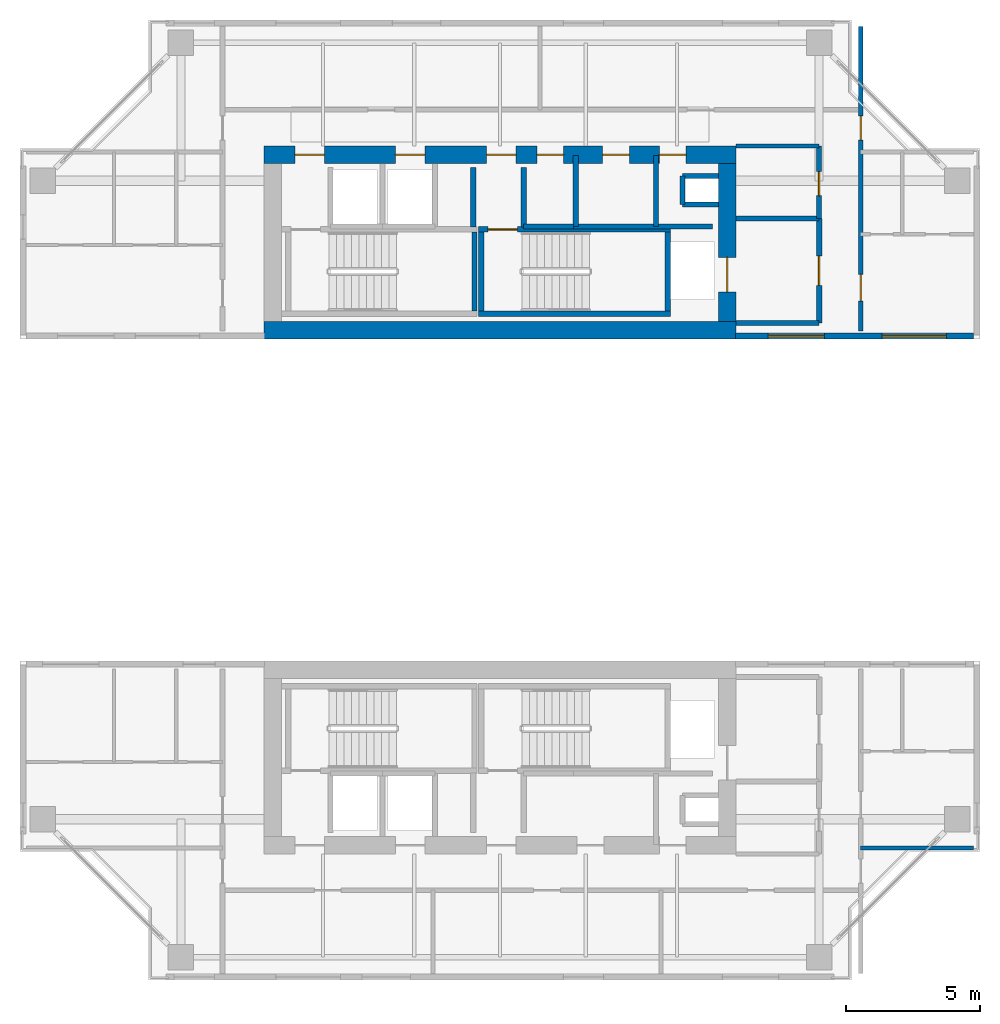
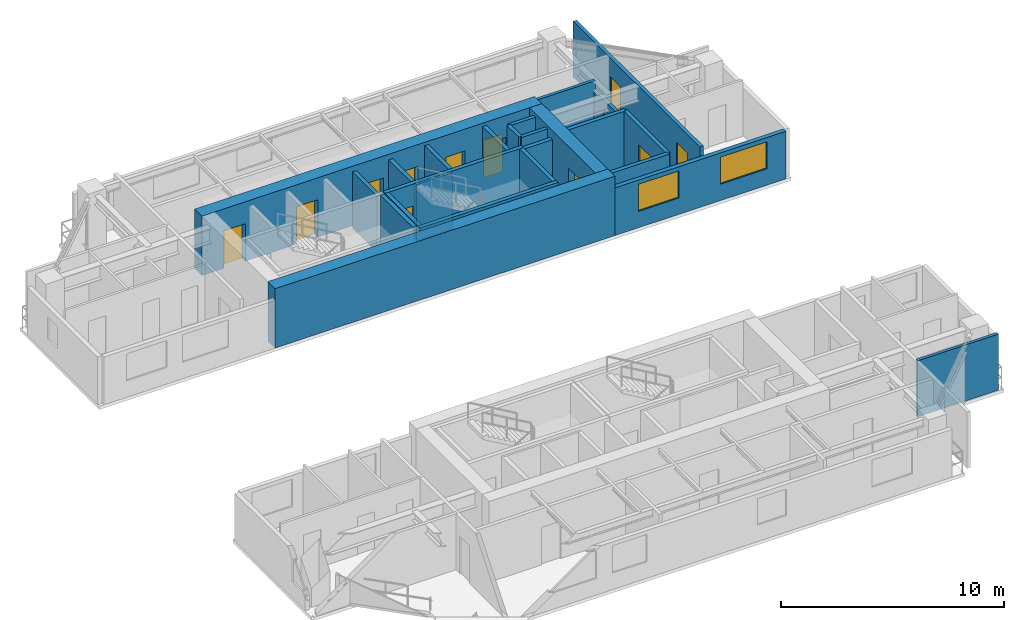
# One storey, part 9 of 12: 25 walls, 12 doors, 2 windows, 14 openings.
"""IFC4 building model written with IfcOpenShell, lengths in metres."""

from ifc_helpers import new_model, si_unit, direction, frame, frame_2d, origin, place, context, subcontext, project, spatial, rectangle, extrude, source, transform, mapped, material, layer, layer_set, type_object, element, fill, save


model = new_model("IFC4")

# Units and contexts
model_context = context("Model", 3, precision=1e-05, world=origin(), true_north=direction((0.0, 1.0)))
body_context = subcontext(model_context, "Body", "Model", "MODEL_VIEW")
ifc_project = project(units=[si_unit("LENGTHUNIT", "METRE"), si_unit("AREAUNIT", "SQUARE_METRE"), si_unit("VOLUMEUNIT", "CUBIC_METRE"), si_unit("PLANEANGLEUNIT", "RADIAN"), si_unit("MASSUNIT", "GRAM", prefix="KILO"), si_unit("THERMODYNAMICTEMPERATUREUNIT", "KELVIN"), si_unit("POWERUNIT", "WATT")], contexts=[model_context])

# Site, building, storey
site_placement = place(None, origin())
site = spatial("IfcSite", under=ifc_project, at=site_placement, CompositionType="ELEMENT")
building_placement = place(site_placement, origin())
building = spatial("IfcBuilding", under=site, at=building_placement, Name="Qiaomeng Ring Towers", CompositionType="ELEMENT")
storey_placement = place(building_placement, frame((0.0, 0.0, 156.75)))
storey = spatial("IfcBuildingStorey", under=building, at=storey_placement, Name="L45", CompositionType="ELEMENT", Elevation=156.75)

# Wall, openings, windows
ifc_material_1 = material(Name="Precast concrete C40", Category="concrete")
ifc_layer_1 = layer(ifc_material_1, 0.219970703125, Name="Precast concrete C40")
ifc_layer_set_1 = layer_set([ifc_layer_1], Name="Precast concrete C40")
wall_type_1 = type_object("IfcWallType", Name="ARC-WL-EW2", PredefinedType="STANDARD", material=ifc_layer_set_1)
wall_1_placement = place(storey_placement, frame((27.780029296875, 29.110107421875, 0.0), z_axis=(0.0, 0.0, 1.0), x_axis=(1.0, 0.0, 0.0)))
wall_1 = element("IfcWall", 1, at=wall_1_placement, inside=storey, type_object=wall_type_1, Name="L45 Portal Wing Wall NWING-E", PredefinedType="STANDARD", context=body_context, shape_type="SweptSolid", body=[
    extrude(rectangle(XDim=8.869873046875, YDim=0.219970703125, at=frame_2d((4.43505859375, 0.0))), origin(), (0.0, 0.0, 1.0), 2.610107421875),
])
opening_1_placement = place(wall_1_placement, frame((1.219970703125, 0.0, 0.89990234375)))
opening_1 = element("IfcOpeningElement", 2, at=opening_1_placement, cuts=wall_1, Name="Opening WN4", PredefinedType="OPENING", context=body_context, shape_type="SweptSolid", body=[
    extrude(rectangle(XDim=2.10009765625, YDim=1.47998046875, at=frame_2d((1.050048828125, 0.739990234375))), frame((0.0, 0.119873046875, 0.0), z_axis=(0.0, -1.0, 0.0), x_axis=(1.0, 0.0, 0.0)), (0.0, 0.0, 1.0), 0.239990234375),
])
opening_2_placement = place(wall_1_placement, frame((5.469970703125, 0.0, 0.89990234375)))
opening_2 = element("IfcOpeningElement", 3, at=opening_2_placement, cuts=wall_1, Name="Opening WN6", PredefinedType="OPENING", context=body_context, shape_type="SweptSolid", body=[
    extrude(rectangle(XDim=2.39990234375, YDim=1.47998046875, at=frame_2d((1.199951171875, 0.739990234375))), frame((0.0, 0.119873046875, 0.0), z_axis=(0.0, -1.0, 0.0), x_axis=(1.0, 0.0, 0.0)), (0.0, 0.0, 1.0), 0.239990234375),
])
ifc_material_2 = material(Name="Low-E dark-grey laminated double glazing", Category="glass")
window_type_1 = type_object("IfcWindowType", Name="ARC-WN-4", PartitioningType="TRIPLE_PANEL_VERTICAL", PredefinedType="WINDOW", material=ifc_material_2)
shared_shape_1 = source(origin(), body_context, "Body", "SweptSolid", [
    extrude(rectangle(XDim=2.10009765625, YDim=1.47998046875, at=frame_2d((1.050048828125, 0.739990234375))), frame((0.0, 0.030029296875, 0.0), z_axis=(0.0, -1.0, 0.0), x_axis=(1.0, 0.0, 0.0)), (0.0, 0.0, 1.0), 0.06005859375),
])
window_1_placement = place(opening_1_placement, origin())
window_1 = element("IfcWindow", 4, at=window_1_placement, inside=storey, type_object=window_type_1, Name="L45 Exterior Window WN4", OverallHeight=1.47998046875, OverallWidth=2.10009765625, PartitioningType="TRIPLE_PANEL_VERTICAL", PredefinedType="WINDOW", context=body_context, shape_type="MappedRepresentation", body=[
    mapped(shared_shape_1, transform((0.0, 0.0, 0.0), x_axis=(1.0, 0.0, 0.0), y_axis=(0.0, 1.0, 0.0), z_axis=(0.0, 0.0, 1.0), scale=1.0)),
])
fill(opening_1, window_1)
window_type_2 = type_object("IfcWindowType", Name="ARC-WN-6", PartitioningType="TRIPLE_PANEL_VERTICAL", PredefinedType="WINDOW", material=ifc_material_2)
shared_shape_2 = source(origin(), body_context, "Body", "SweptSolid", [
    extrude(rectangle(XDim=2.39990234375, YDim=1.47998046875, at=frame_2d((1.199951171875, 0.739990234375))), frame((0.0, 0.030029296875, 0.0), z_axis=(0.0, -1.0, 0.0), x_axis=(1.0, 0.0, 0.0)), (0.0, 0.0, 1.0), 0.06005859375),
])
window_2_placement = place(opening_2_placement, origin())
window_2 = element("IfcWindow", 5, at=window_2_placement, inside=storey, type_object=window_type_2, Name="L45 Exterior Window WN6", OverallHeight=1.47998046875, OverallWidth=2.39990234375, PartitioningType="TRIPLE_PANEL_VERTICAL", PredefinedType="WINDOW", context=body_context, shape_type="MappedRepresentation", body=[
    mapped(shared_shape_2, transform((0.0, 0.0, 0.0), x_axis=(1.0, 0.0, 0.0), y_axis=(0.0, 1.0, 0.0), z_axis=(0.0, 0.0, 1.0), scale=1.0)),
])
fill(opening_2, window_2)

# Walls
ifc_material_3 = material(Name="Autoclaved aerated concrete block", Category="concrete")
ifc_layer_2 = layer(ifc_material_3, 0.199951171875, Name="Autoclaved aerated concrete block")
ifc_layer_set_2 = layer_set([ifc_layer_2], Name="Autoclaved aerated concrete block")
wall_type_2 = type_object("IfcWallType", Name="ARC-WL-PW1", PredefinedType="PARTITIONING", material=ifc_layer_set_2)
for number, where, z_axis, x_axis, name in (
    (6, (27.800048828125, 29.60009765625, 0.0), (0.0, 0.0, 1.0), (1.0, 0.0, 0.0), "L45 Interior Wall PW1"),
    (7, (27.800048828125, 33.5, 0.0), (0.0, 0.0, 1.0), (1.0, 0.0, 0.0), "L45 Interior Wall PW1"),
):
    element("IfcWall", number, at=place(storey_placement, frame(where, z_axis=z_axis, x_axis=x_axis)), inside=storey, type_object=wall_type_2, Name=name, PredefinedType="PARTITIONING", context=body_context, shape_type="SweptSolid", body=[
        extrude(rectangle(XDim=3.099853515625, YDim=0.199951171875, at=frame_2d((1.5498046875, 0.0))), origin(), (0.0, 0.0, 1.0), 3.070068359375),
    ])

# Wall, opening, door
wall_2_placement = place(storey_placement, frame((30.89990234375, 29.60009765625, 0.0), z_axis=(0.0, 0.0, 1.0), x_axis=(0.0, 1.0, 0.0)))
wall_2 = element("IfcWall", 8, at=wall_2_placement, inside=storey, type_object=wall_type_2, Name="L45 Interior Wall PW1", PredefinedType="PARTITIONING", context=body_context, shape_type="SweptSolid", body=[
    extrude(rectangle(XDim=3.89990234375, YDim=0.199951171875, at=frame_2d((1.949951171875, 0.0))), origin(), (0.0, 0.0, 1.0), 3.070068359375),
])
opening_3_placement = place(wall_2_placement, frame((1.39990234375, 0.0, 0.0)))
opening_3 = element("IfcOpeningElement", 9, at=opening_3_placement, cuts=wall_2, Name="Opening FD3", PredefinedType="OPENING", context=body_context, shape_type="SweptSolid", body=[
    extrude(rectangle(XDim=1.10009765625, YDim=2.050048828125, at=frame_2d((0.550048828125, 1.02490234375))), frame((0.0, 0.10986328125, 0.0), z_axis=(0.0, -1.0, 0.0), x_axis=(1.0, 0.0, 0.0)), (0.0, 0.0, 1.0), 0.219970703125),
])
ifc_material_4 = material(Name="Galvanised steel", Category="steel")
door_type_1 = type_object("IfcDoorType", Name="ARC-DR-FD3", OperationType="NOTDEFINED", PredefinedType="DOOR", material=ifc_material_4)
shared_shape_3 = source(origin(), body_context, "Body", "SweptSolid", [
    extrude(rectangle(XDim=1.10009765625, YDim=2.050048828125, at=frame_2d((0.550048828125, 1.02490234375))), frame((0.0, 0.02490234375, 0.0), z_axis=(0.0, -1.0, 0.0), x_axis=(1.0, 0.0, 0.0)), (0.0, 0.0, 1.0), 0.050048828125),
])
door_1_placement = place(opening_3_placement, origin())
door_1 = element("IfcDoor", 10, at=door_1_placement, inside=storey, type_object=door_type_1, Name="L45 North FF Lobby Door", OperationType="SINGLE_SWING_RIGHT", OverallHeight=2.050048828125, OverallWidth=1.10009765625, PredefinedType="DOOR", context=body_context, shape_type="MappedRepresentation", body=[
    mapped(shared_shape_3, transform((0.0, 0.0, 0.0), x_axis=(1.0, 0.0, 0.0), y_axis=(0.0, 1.0, 0.0), z_axis=(0.0, 0.0, 1.0), scale=1.0)),
])
fill(opening_3, door_1)

# Walls
for number, where, z_axis, x_axis, name in (
    (11, (18.0, 33.18994140625, 0.0), (0.0, 0.0, 1.0), (0.0, 1.0, 0.0), "L45 Interior Wall PW1"),
    (12, (19.8798828125, 33.18994140625, 0.0), (0.0, 0.0, 1.0), (0.0, 1.0, 0.0), "L45 Interior Wall PW1"),
):
    element("IfcWall", number, at=place(storey_placement, frame(where, z_axis=z_axis, x_axis=x_axis)), inside=storey, type_object=wall_type_2, Name=name, PredefinedType="PARTITIONING", context=body_context, shape_type="SweptSolid", body=[
        extrude(rectangle(XDim=2.2099609375, YDim=0.199951171875, at=frame_2d((1.10498046875, 0.0))), origin(), (0.0, 0.0, 1.0), 3.070068359375),
    ])
wall_3_placement = place(storey_placement, frame((24.820068359375, 33.199951171875, 0.0), z_axis=(0.0, 0.0, 1.0), x_axis=(0.0, 1.0, 0.0)))
element("IfcWall", 13, at=wall_3_placement, inside=storey, type_object=wall_type_2, Name="L45 Interior Wall PW1", PredefinedType="PARTITIONING", context=body_context, shape_type="SweptSolid", body=[
    extrude(rectangle(XDim=2.650146484375, YDim=0.199951171875, at=frame_2d((1.3251953125, 0.0))), origin(), (0.0, 0.0, 1.0), 3.070068359375),
])
wall_4_placement = place(storey_placement, frame((19.8798828125, 33.199951171875, 0.0), z_axis=(0.0, 0.0, 1.0), x_axis=(1.0, 0.0, 0.0)))
element("IfcWall", 14, at=wall_4_placement, inside=storey, type_object=wall_type_2, Name="L45 Interior Wall PW1", PredefinedType="PARTITIONING", context=body_context, shape_type="SweptSolid", body=[
    extrude(rectangle(XDim=1.8701171875, YDim=0.199951171875, at=frame_2d((0.93505859375, 0.0))), origin(), (0.0, 0.0, 1.0), 3.070068359375),
])
wall_5_placement = place(storey_placement, frame((21.830078125, 33.199951171875, 0.0), z_axis=(0.0, 0.0, 1.0), x_axis=(0.0, 1.0, 0.0)))
element("IfcWall", 15, at=wall_5_placement, inside=storey, type_object=wall_type_2, Name="L45 Interior Wall PW1", PredefinedType="PARTITIONING", context=body_context, shape_type="SweptSolid", body=[
    extrude(rectangle(XDim=2.650146484375, YDim=0.199951171875, at=frame_2d((1.3251953125, 0.0))), origin(), (0.0, 0.0, 1.0), 3.070068359375),
])
wall_6_placement = place(storey_placement, frame((21.75, 33.199951171875, 0.0), z_axis=(0.0, 0.0, 1.0), x_axis=(1.0, 0.0, 0.0)))
element("IfcWall", 16, at=wall_6_placement, inside=storey, type_object=wall_type_2, Name="L45 Interior Wall PW1", PredefinedType="PARTITIONING", context=body_context, shape_type="SweptSolid", body=[
    extrude(rectangle(XDim=5.169921875, YDim=0.199951171875, at=frame_2d((2.5849609375, 0.0))), origin(), (0.0, 0.0, 1.0), 3.070068359375),
])

# Wall, opening, door
ifc_layer_3 = layer(ifc_material_3, 0.179931640625, Name="Autoclaved aerated concrete block")
ifc_layer_set_3 = layer_set([ifc_layer_3], Name="Autoclaved aerated concrete block")
wall_type_3 = type_object("IfcWallType", Name="ARC-WL-PW2", PredefinedType="PARTITIONING", material=ifc_layer_set_3)
wall_7_placement = place(storey_placement, frame((30.89990234375, 33.5, 0.0), z_axis=(0.0, 0.0, 1.0), x_axis=(0.0, 1.0, 0.0)))
wall_7 = element("IfcWall", 17, at=wall_7_placement, inside=storey, type_object=wall_type_3, Name="L45 Interior Wall PW2", PredefinedType="PARTITIONING", context=body_context, shape_type="SweptSolid", body=[
    extrude(rectangle(XDim=2.699951171875, YDim=0.179931640625, at=frame_2d((1.35009765625, 0.0))), origin(), (0.0, 0.0, 1.0), 2.576904296875),
])
opening_4_placement = place(wall_7_placement, frame((0.85009765625, 0.0, 0.0)))
opening_4 = element("IfcOpeningElement", 18, at=opening_4_placement, cuts=wall_7, Name="Opening ID1", PredefinedType="OPENING", context=body_context, shape_type="SweptSolid", body=[
    extrude(rectangle(XDim=0.89990234375, YDim=2.050048828125, at=frame_2d((0.449951171875, 1.02490234375))), frame((0.0, 0.099853515625, 0.0), z_axis=(0.0, -1.0, 0.0), x_axis=(1.0, 0.0, 0.0)), (0.0, 0.0, 1.0), 0.199951171875),
])
ifc_material_5 = material(Name="Engineered oak timber", Category="wood")
door_type_2 = type_object("IfcDoorType", Name="ARC-DR-ID1", OperationType="NOTDEFINED", PredefinedType="DOOR", material=ifc_material_5)
shared_shape_4 = source(origin(), body_context, "Body", "SweptSolid", [
    extrude(rectangle(XDim=0.89990234375, YDim=2.050048828125, at=frame_2d((0.449951171875, 1.02490234375))), frame((0.0, 0.02490234375, 0.0), z_axis=(0.0, -1.0, 0.0), x_axis=(1.0, 0.0, 0.0)), (0.0, 0.0, 1.0), 0.050048828125),
])
door_2_placement = place(opening_4_placement, origin())
door_2 = element("IfcDoor", 19, at=door_2_placement, inside=storey, type_object=door_type_2, Name="L45 Door ID1", OperationType="SINGLE_SWING_LEFT", OverallHeight=2.050048828125, OverallWidth=0.89990234375, PredefinedType="DOOR", context=body_context, shape_type="MappedRepresentation", body=[
    mapped(shared_shape_4, transform((0.0, 0.0, 0.0), x_axis=(1.0, 0.0, 0.0), y_axis=(0.0, 1.0, 0.0), z_axis=(0.0, 0.0, 1.0), scale=1.0)),
])
fill(opening_4, door_2)

# Wall, openings, doors
wall_8_placement = place(storey_placement, frame((32.449951171875, 29.300048828125, 0.0), z_axis=(0.0, 0.0, 1.0), x_axis=(0.0, 1.0, 0.0)))
wall_8 = element("IfcWall", 20, at=wall_8_placement, inside=storey, type_object=wall_type_3, Name="L45 Interior Wall PW2", PredefinedType="PARTITIONING", context=body_context, shape_type="SweptSolid", body=[
    extrude(rectangle(XDim=11.349853515625, YDim=0.179931640625, at=frame_2d((5.6748046875, 0.0))), origin(), (0.0, 0.0, 1.0), 3.070068359375),
])
opening_5_placement = place(wall_8_placement, frame((1.114990234375, 0.0, 0.0)))
opening_5 = element("IfcOpeningElement", 21, at=opening_5_placement, cuts=wall_8, Name="Opening FD4", PredefinedType="OPENING", context=body_context, shape_type="SweptSolid", body=[
    extrude(rectangle(XDim=1.0, YDim=2.050048828125, at=frame_2d((0.5, 1.02490234375))), frame((0.0, 0.099853515625, 0.0), z_axis=(0.0, -1.0, 0.0), x_axis=(1.0, 0.0, 0.0)), (0.0, 0.0, 1.0), 0.199951171875),
])
opening_6_placement = place(wall_8_placement, frame((7.1201171875, 0.0, 0.0)))
opening_6 = element("IfcOpeningElement", 22, at=opening_6_placement, cuts=wall_8, Name="Opening ID1", PredefinedType="OPENING", context=body_context, shape_type="SweptSolid", body=[
    extrude(rectangle(XDim=0.89990234375, YDim=2.050048828125, at=frame_2d((0.449951171875, 1.02490234375))), frame((0.0, 0.099853515625, 0.0), z_axis=(0.0, -1.0, 0.0), x_axis=(1.0, 0.0, 0.0)), (0.0, 0.0, 1.0), 0.199951171875),
])
ifc_material_6 = material(Name="Engineered fire-rated oak timber", Category="wood")
door_type_3 = type_object("IfcDoorType", Name="ARC-DR-FD4", OperationType="NOTDEFINED", PredefinedType="DOOR", material=ifc_material_6)
shared_shape_5 = source(origin(), body_context, "Body", "SweptSolid", [
    extrude(rectangle(XDim=1.0, YDim=2.050048828125, at=frame_2d((0.5, 1.02490234375))), frame((0.0, 0.02490234375, 0.0), z_axis=(0.0, -1.0, 0.0), x_axis=(1.0, 0.0, 0.0)), (0.0, 0.0, 1.0), 0.050048828125),
])
door_3_placement = place(opening_5_placement, origin())
door_3 = element("IfcDoor", 23, at=door_3_placement, inside=storey, type_object=door_type_3, Name="L45 Door FD4", OperationType="SINGLE_SWING_RIGHT", OverallHeight=2.050048828125, OverallWidth=1.0, PredefinedType="DOOR", context=body_context, shape_type="MappedRepresentation", body=[
    mapped(shared_shape_5, transform((0.0, 0.0, 0.0), x_axis=(1.0, 0.0, 0.0), y_axis=(0.0, 1.0, 0.0), z_axis=(0.0, 0.0, 1.0), scale=1.0)),
])
fill(opening_5, door_3)
door_4_placement = place(opening_6_placement, origin())
door_4 = element("IfcDoor", 24, at=door_4_placement, inside=storey, type_object=door_type_2, Name="L45 Door ID1", OperationType="SINGLE_SWING_LEFT", OverallHeight=2.050048828125, OverallWidth=0.89990234375, PredefinedType="DOOR", context=body_context, shape_type="MappedRepresentation", body=[
    mapped(shared_shape_4, transform((0.0, 0.0, 0.0), x_axis=(1.0, 0.0, 0.0), y_axis=(0.0, 1.0, 0.0), z_axis=(0.0, 0.0, 1.0), scale=1.0)),
])
fill(opening_6, door_4)

# Walls
ifc_material_7 = material(Name="Gypsum fireboard steel-stud partition", Category="steel")
ifc_layer_4 = layer(ifc_material_7, 0.14990234375, Name="Gypsum fireboard steel-stud partition")
ifc_layer_set_4 = layer_set([ifc_layer_4], Name="Gypsum fireboard steel-stud partition")
wall_type_4 = type_object("IfcWallType", Name="ARC-WL-PW3", PredefinedType="PARTITIONING", material=ifc_layer_set_4)
wall_9_placement = place(storey_placement, frame((27.800048828125, 36.199951171875, 0.0), z_axis=(0.0, 0.0, 1.0), x_axis=(1.0, 0.0, 0.0)))
element("IfcWall", 25, at=wall_9_placement, inside=storey, type_object=wall_type_4, Name="L45 Interior Wall PW3", PredefinedType="PARTITIONING", context=body_context, shape_type="SweptSolid", body=[
    extrude(rectangle(XDim=3.099853515625, YDim=0.14990234375, at=frame_2d((1.5498046875, 0.0))), origin(), (0.0, 0.0, 1.0), 3.070068359375),
])
wall_10_placement = place(storey_placement, frame((32.449951171875, 10.02001953125, 0.0), z_axis=(0.0, 0.0, 1.0), x_axis=(1.0, 0.0, 0.0)))
element("IfcWall", 26, at=wall_10_placement, inside=storey, type_object=wall_type_4, Name="L45 Interior Wall PW3", PredefinedType="PARTITIONING", context=body_context, shape_type="SweptSolid", body=[
    extrude(rectangle(XDim=4.199951171875, YDim=0.14990234375, at=frame_2d((2.10009765625, 0.0))), origin(), (0.0, 0.0, 1.0), 3.070068359375),
])
ifc_material_8 = material(Name="Concrete C40", Category="concrete")
ifc_layer_5 = layer(ifc_material_8, 0.199951171875, Name="Concrete C40")
ifc_layer_set_5 = layer_set([ifc_layer_5], Name="Concrete C40")
wall_type_5 = type_object("IfcWallType", Name="STR-WL-STSHAFT", PredefinedType="SHEAR", material=ifc_layer_set_5)
wall_11_placement = place(storey_placement, frame((25.800048828125, 34.02001953125, 0.0), z_axis=(0.0, 0.0, 1.0), x_axis=(0.0, 1.0, 0.0)))
element("IfcWall", 27, at=wall_11_placement, inside=storey, type_object=wall_type_5, Name="L45 Riser RSR1 West Shaft Wall N", PredefinedType="SHEAR", context=body_context, shape_type="SweptSolid", body=[
    extrude(rectangle(XDim=1.06005859375, YDim=0.179931640625, at=frame_2d((0.530029296875, 0.0))), origin(), (0.0, 0.0, 1.0), 3.070068359375),
])
for number, where, z_axis, x_axis, name in (
    (28, (25.800048828125, 35.080078125, 0.0), (0.0, 0.0, 1.0), (1.0, 0.0, 0.0), "L45 Riser RSR1 North Shaft Wall N"),
    (29, (25.800048828125, 34.02001953125, 0.0), (0.0, 0.0, 1.0), (1.0, 0.0, 0.0), "L45 Riser RSR1 South Shaft Wall N"),
):
    element("IfcWall", number, at=place(storey_placement, frame(where, z_axis=z_axis, x_axis=x_axis)), inside=storey, type_object=wall_type_5, Name=name, PredefinedType="SHEAR", context=body_context, shape_type="SweptSolid", body=[
        extrude(rectangle(XDim=1.349853515625, YDim=0.179931640625, at=frame_2d((0.6748046875, 0.0))), origin(), (0.0, 0.0, 1.0), 3.070068359375),
    ])
wall_12_placement = place(storey_placement, frame((18.050048828125, 30.050048828125, 0.0), z_axis=(0.0, 0.0, 1.0), x_axis=(0.0, 1.0, 0.0)))
element("IfcWall", 30, at=wall_12_placement, inside=storey, type_object=wall_type_5, Name="L45 Stair ST1 East Shaft Shear Wall", PredefinedType="SHEAR", context=body_context, shape_type="SweptSolid", body=[
    extrude(rectangle(XDim=2.93994140625, YDim=0.199951171875, at=frame_2d((1.469970703125, 0.0))), origin(), (0.0, 0.0, 1.0), 3.25),
])
wall_13_placement = place(storey_placement, frame((18.199951171875, 29.949951171875, 0.0), z_axis=(0.0, 0.0, 1.0), x_axis=(1.0, 0.0, 0.0)))
element("IfcWall", 31, at=wall_13_placement, inside=storey, type_object=wall_type_5, Name="L45 Stair ST2 South Shaft Shear Wall", PredefinedType="SHEAR", context=body_context, shape_type="SweptSolid", body=[
    extrude(rectangle(XDim=7.150146484375, YDim=0.199951171875, at=frame_2d((3.5751953125, 0.0))), origin(), (0.0, 0.0, 1.0), 3.25),
])

# Wall, opening, door
wall_14_placement = place(storey_placement, frame((18.199951171875, 33.090087890625, 0.0), z_axis=(0.0, 0.0, 1.0), x_axis=(1.0, 0.0, 0.0)))
wall_14 = element("IfcWall", 32, at=wall_14_placement, inside=storey, type_object=wall_type_5, Name="L45 Stair ST2 North Shaft Shear Wall", PredefinedType="SHEAR", context=body_context, shape_type="SweptSolid", body=[
    extrude(rectangle(XDim=7.150146484375, YDim=0.199951171875, at=frame_2d((3.5751953125, 0.0))), origin(), (0.0, 0.0, 1.0), 3.25),
])
opening_7_placement = place(wall_14_placement, frame((0.35009765625, 0.0, 0.0)))
opening_7 = element("IfcOpeningElement", 33, at=opening_7_placement, cuts=wall_14, Name="Opening FD3", PredefinedType="OPENING", context=body_context, shape_type="SweptSolid", body=[
    extrude(rectangle(XDim=1.10009765625, YDim=2.050048828125, at=frame_2d((0.550048828125, 1.02490234375))), frame((0.0, 0.10986328125, 0.0), z_axis=(0.0, -1.0, 0.0), x_axis=(1.0, 0.0, 0.0)), (0.0, 0.0, 1.0), 0.219970703125),
])
door_5_placement = place(opening_7_placement, origin())
door_5 = element("IfcDoor", 34, at=door_5_placement, inside=storey, type_object=door_type_1, Name="L45 Stair ST2 Exit Door", OperationType="SINGLE_SWING_LEFT", OverallHeight=2.050048828125, OverallWidth=1.10009765625, PredefinedType="DOOR", context=body_context, shape_type="MappedRepresentation", body=[
    mapped(shared_shape_3, transform((0.0, 0.0, 0.0), x_axis=(1.0, 0.0, 0.0), y_axis=(0.0, 1.0, 0.0), z_axis=(0.0, 0.0, 1.0), scale=1.0)),
])
fill(opening_7, door_5)

# Walls
for number, where, z_axis, x_axis, name in (
    (35, (18.300048828125, 30.050048828125, 0.0), (0.0, 0.0, 1.0), (0.0, 1.0, 0.0), "L45 Stair ST2 West Shaft Shear Wall"),
    (36, (25.25, 30.050048828125, 0.0), (0.0, 0.0, 1.0), (0.0, 1.0, 0.0), "L45 Stair ST2 East Shaft Shear Wall"),
):
    element("IfcWall", number, at=place(storey_placement, frame(where, z_axis=z_axis, x_axis=x_axis)), inside=storey, type_object=wall_type_5, Name=name, PredefinedType="SHEAR", context=body_context, shape_type="SweptSolid", body=[
        extrude(rectangle(XDim=2.93994140625, YDim=0.199951171875, at=frame_2d((1.469970703125, 0.0))), origin(), (0.0, 0.0, 1.0), 3.25),
    ])
ifc_material_9 = material(Name="Concrete C50", Category="concrete")
ifc_layer_6 = layer(ifc_material_9, 0.64990234375, Name="Concrete C50")
ifc_layer_set_6 = layer_set([ifc_layer_6], Name="Concrete C50")
wall_type_6 = type_object("IfcWallType", Name="STR-WL-SW2B", PredefinedType="SHEAR", material=ifc_layer_set_6)
wall_15_placement = place(storey_placement, frame((10.199951171875, 29.324951171875, 0.0), z_axis=(0.0, 0.0, 1.0), x_axis=(1.0, 0.0, 0.0)))
element("IfcWall", 37, at=wall_15_placement, inside=storey, type_object=wall_type_6, Name="L45 T1NC south core shear wall", PredefinedType="SHEAR", context=body_context, shape_type="SweptSolid", body=[
    extrude(rectangle(XDim=17.60009765625, YDim=0.64990234375, at=frame_2d((8.800048828125, 0.0))), origin(), (0.0, 0.0, 1.0), 3.25),
])

# Wall, openings, doors
wall_16_placement = place(storey_placement, frame((10.199951171875, 35.875, 0.0), z_axis=(0.0, 0.0, 1.0), x_axis=(1.0, 0.0, 0.0)))
wall_16 = element("IfcWall", 38, at=wall_16_placement, inside=storey, type_object=wall_type_6, Name="L45 T1NC north core shear wall", PredefinedType="SHEAR", context=body_context, shape_type="SweptSolid", body=[
    extrude(rectangle(XDim=17.60009765625, YDim=0.64990234375, at=frame_2d((8.800048828125, 0.0))), origin(), (0.0, 0.0, 1.0), 3.25),
])
opening_8_placement = place(wall_16_placement, frame((1.14990234375, 0.0, 0.0)))
opening_8 = element("IfcOpeningElement", 39, at=opening_8_placement, cuts=wall_16, Name="Opening FD3", PredefinedType="OPENING", context=body_context, shape_type="SweptSolid", body=[
    extrude(rectangle(XDim=1.10009765625, YDim=2.050048828125, at=frame_2d((0.550048828125, 1.02490234375))), frame((0.0, 0.3349609375, 0.0), z_axis=(0.0, -1.0, 0.0), x_axis=(1.0, 0.0, 0.0)), (0.0, 0.0, 1.0), 0.669921875),
])
opening_9_placement = place(wall_16_placement, frame((8.300048828125, 0.0, 0.0)))
opening_9 = element("IfcOpeningElement", 40, at=opening_9_placement, cuts=wall_16, Name="Opening FD3", PredefinedType="OPENING", context=body_context, shape_type="SweptSolid", body=[
    extrude(rectangle(XDim=1.10009765625, YDim=2.050048828125, at=frame_2d((0.550048828125, 1.02490234375))), frame((0.0, 0.3349609375, 0.0), z_axis=(0.0, -1.0, 0.0), x_axis=(1.0, 0.0, 0.0)), (0.0, 0.0, 1.0), 0.669921875),
])
opening_10_placement = place(wall_16_placement, frame((4.89990234375, 0.0, 0.0)))
opening_10 = element("IfcOpeningElement", 41, at=opening_10_placement, cuts=wall_16, Name="Opening LD1", PredefinedType="OPENING", context=body_context, shape_type="SweptSolid", body=[
    extrude(rectangle(XDim=1.10009765625, YDim=2.050048828125, at=frame_2d((0.550048828125, 1.02490234375))), frame((0.0, 0.3349609375, 0.0), z_axis=(0.0, -1.0, 0.0), x_axis=(1.0, 0.0, 0.0)), (0.0, 0.0, 1.0), 0.669921875),
])
opening_11_placement = place(wall_16_placement, frame((14.739990234375, 0.0, 0.0)))
opening_11 = element("IfcOpeningElement", 42, at=opening_11_placement, cuts=wall_16, Name="Opening FD1", PredefinedType="OPENING", context=body_context, shape_type="SweptSolid", body=[
    extrude(rectangle(XDim=1.0, YDim=2.050048828125, at=frame_2d((0.5, 1.02490234375))), frame((0.0, 0.3349609375, 0.0), z_axis=(0.0, -1.0, 0.0), x_axis=(1.0, 0.0, 0.0)), (0.0, 0.0, 1.0), 0.669921875),
])
opening_12_placement = place(wall_16_placement, frame((10.175048828125, 0.0, 0.0)))
opening_12 = element("IfcOpeningElement", 43, at=opening_12_placement, cuts=wall_16, Name="Opening FD1", PredefinedType="OPENING", context=body_context, shape_type="SweptSolid", body=[
    extrude(rectangle(XDim=1.0, YDim=2.050048828125, at=frame_2d((0.5, 1.02490234375))), frame((0.0, 0.3349609375, 0.0), z_axis=(0.0, -1.0, 0.0), x_axis=(1.0, 0.0, 0.0)), (0.0, 0.0, 1.0), 0.669921875),
])
opening_13_placement = place(wall_16_placement, frame((12.625, 0.0, 0.0)))
opening_13 = element("IfcOpeningElement", 44, at=opening_13_placement, cuts=wall_16, Name="Opening FD1", PredefinedType="OPENING", context=body_context, shape_type="SweptSolid", body=[
    extrude(rectangle(XDim=1.0, YDim=2.050048828125, at=frame_2d((0.5, 1.02490234375))), frame((0.0, 0.3349609375, 0.0), z_axis=(0.0, -1.0, 0.0), x_axis=(1.0, 0.0, 0.0)), (0.0, 0.0, 1.0), 0.669921875),
])
door_6_placement = place(opening_8_placement, origin())
door_6 = element("IfcDoor", 45, at=door_6_placement, inside=storey, type_object=door_type_1, Name="L45 Stair ST1 Lobby Door", OperationType="SINGLE_SWING_RIGHT", OverallHeight=2.050048828125, OverallWidth=1.10009765625, PredefinedType="DOOR", context=body_context, shape_type="MappedRepresentation", body=[
    mapped(shared_shape_3, transform((0.0, 0.0, 0.0), x_axis=(1.0, 0.0, 0.0), y_axis=(0.0, 1.0, 0.0), z_axis=(0.0, 0.0, 1.0), scale=1.0)),
])
fill(opening_8, door_6)
door_7_placement = place(opening_9_placement, origin())
door_7 = element("IfcDoor", 46, at=door_7_placement, inside=storey, type_object=door_type_1, Name="L45 Stair ST2 Lobby Door", OperationType="SINGLE_SWING_RIGHT", OverallHeight=2.050048828125, OverallWidth=1.10009765625, PredefinedType="DOOR", context=body_context, shape_type="MappedRepresentation", body=[
    mapped(shared_shape_3, transform((0.0, 0.0, 0.0), x_axis=(1.0, 0.0, 0.0), y_axis=(0.0, 1.0, 0.0), z_axis=(0.0, 0.0, 1.0), scale=1.0)),
])
fill(opening_9, door_7)
ifc_material_10 = material(Name="Stainless steel 316", Category="steel")
door_type_4 = type_object("IfcDoorType", Name="ARC-DR-LD1", OperationType="NOTDEFINED", PredefinedType="DOOR", material=ifc_material_10)
door_8_placement = place(opening_10_placement, origin())
door_8 = element("IfcDoor", 47, at=door_8_placement, inside=storey, type_object=door_type_4, Name="L45 Mid-Zone Lift LP3 Landing Door", OperationType="SLIDING_TO_LEFT", OverallHeight=2.050048828125, OverallWidth=1.10009765625, PredefinedType="DOOR", context=body_context, shape_type="MappedRepresentation", body=[
    mapped(shared_shape_3, transform((0.0, 0.0, 0.0), x_axis=(1.0, 0.0, 0.0), y_axis=(0.0, 1.0, 0.0), z_axis=(0.0, 0.0, 1.0), scale=1.0)),
])
fill(opening_10, door_8)
door_type_5 = type_object("IfcDoorType", Name="ARC-DR-FD1", OperationType="NOTDEFINED", PredefinedType="DOOR", material=ifc_material_4)
door_9_placement = place(opening_11_placement, origin())
door_9 = element("IfcDoor", 48, at=door_9_placement, inside=storey, type_object=door_type_5, Name="L45 North Electrical Riser Door", OperationType="SINGLE_SWING_RIGHT", OverallHeight=2.050048828125, OverallWidth=1.0, PredefinedType="DOOR", context=body_context, shape_type="MappedRepresentation", body=[
    mapped(shared_shape_5, transform((0.0, 0.0, 0.0), x_axis=(1.0, 0.0, 0.0), y_axis=(0.0, 1.0, 0.0), z_axis=(0.0, 0.0, 1.0), scale=1.0)),
])
fill(opening_11, door_9)
door_10_placement = place(opening_12_placement, origin())
door_10 = element("IfcDoor", 49, at=door_10_placement, inside=storey, type_object=door_type_5, Name="L45 North Cleaners Store Door", OperationType="SINGLE_SWING_RIGHT", OverallHeight=2.050048828125, OverallWidth=1.0, PredefinedType="DOOR", context=body_context, shape_type="MappedRepresentation", body=[
    mapped(shared_shape_5, transform((0.0, 0.0, 0.0), x_axis=(1.0, 0.0, 0.0), y_axis=(0.0, 1.0, 0.0), z_axis=(0.0, 0.0, 1.0), scale=1.0)),
])
fill(opening_12, door_10)
door_11_placement = place(opening_13_placement, origin())
door_11 = element("IfcDoor", 50, at=door_11_placement, inside=storey, type_object=door_type_5, Name="L45 North Telemetry Office Door", OperationType="SINGLE_SWING_LEFT", OverallHeight=2.050048828125, OverallWidth=1.0, PredefinedType="DOOR", context=body_context, shape_type="MappedRepresentation", body=[
    mapped(shared_shape_5, transform((0.0, 0.0, 0.0), x_axis=(1.0, 0.0, 0.0), y_axis=(0.0, 1.0, 0.0), z_axis=(0.0, 0.0, 1.0), scale=1.0)),
])
fill(opening_13, door_11)

# Wall, opening, door
wall_17_placement = place(storey_placement, frame((27.47509765625, 29.64990234375, 0.0), z_axis=(0.0, 0.0, 1.0), x_axis=(0.0, 1.0, 0.0)))
wall_17 = element("IfcWall", 51, at=wall_17_placement, inside=storey, type_object=wall_type_6, Name="L45 T1NC east core shear wall", PredefinedType="SHEAR", context=body_context, shape_type="SweptSolid", body=[
    extrude(rectangle(XDim=5.900146484375, YDim=0.64990234375, at=frame_2d((2.9501953125, 0.0))), origin(), (0.0, 0.0, 1.0), 3.25),
])
opening_14_placement = place(wall_17_placement, frame((1.10009765625, 0.0, 0.0)))
opening_14 = element("IfcOpeningElement", 52, at=opening_14_placement, cuts=wall_17, Name="Opening LD2", PredefinedType="OPENING", context=body_context, shape_type="SweptSolid", body=[
    extrude(rectangle(XDim=1.300048828125, YDim=2.050048828125, at=frame_2d((0.64990234375, 1.02490234375))), frame((0.0, 0.3349609375, 0.0), z_axis=(0.0, -1.0, 0.0), x_axis=(1.0, 0.0, 0.0)), (0.0, 0.0, 1.0), 0.669921875),
])
door_type_6 = type_object("IfcDoorType", Name="ARC-DR-LD2", OperationType="NOTDEFINED", PredefinedType="DOOR", material=ifc_material_10)
shared_shape_6 = source(origin(), body_context, "Body", "SweptSolid", [
    extrude(rectangle(XDim=1.300048828125, YDim=2.050048828125, at=frame_2d((0.64990234375, 1.02490234375))), frame((0.0, 0.02490234375, 0.0), z_axis=(0.0, -1.0, 0.0), x_axis=(1.0, 0.0, 0.0)), (0.0, 0.0, 1.0), 0.050048828125),
])
door_12_placement = place(opening_14_placement, origin())
door_12 = element("IfcDoor", 53, at=door_12_placement, inside=storey, type_object=door_type_6, Name="L45 Firefighting Lift FL1 Landing Door", OperationType="SLIDING_TO_LEFT", OverallHeight=2.050048828125, OverallWidth=1.300048828125, PredefinedType="DOOR", context=body_context, shape_type="MappedRepresentation", body=[
    mapped(shared_shape_6, transform((0.0, 0.0, 0.0), x_axis=(1.0, 0.0, 0.0), y_axis=(0.0, 1.0, 0.0), z_axis=(0.0, 0.0, 1.0), scale=1.0)),
])
fill(opening_14, door_12)

save(model, "model.ifc")
